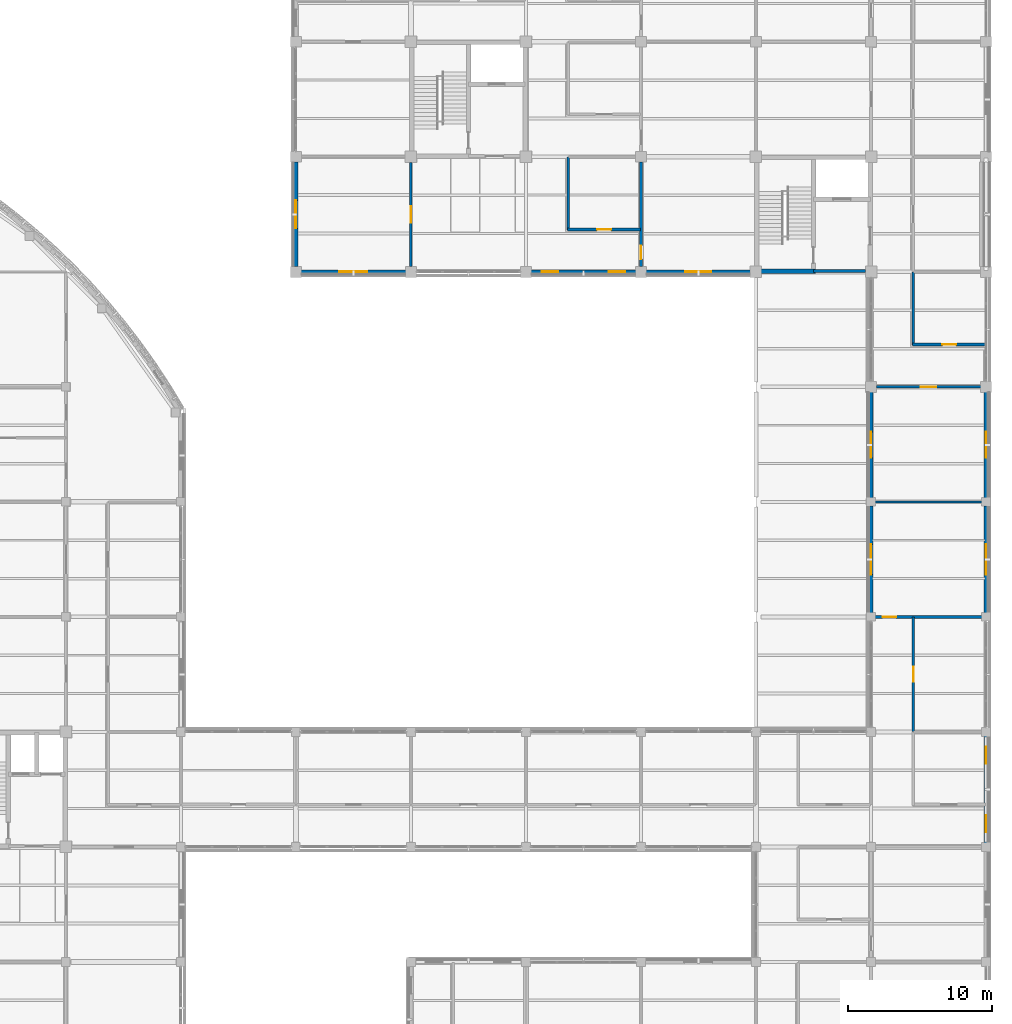
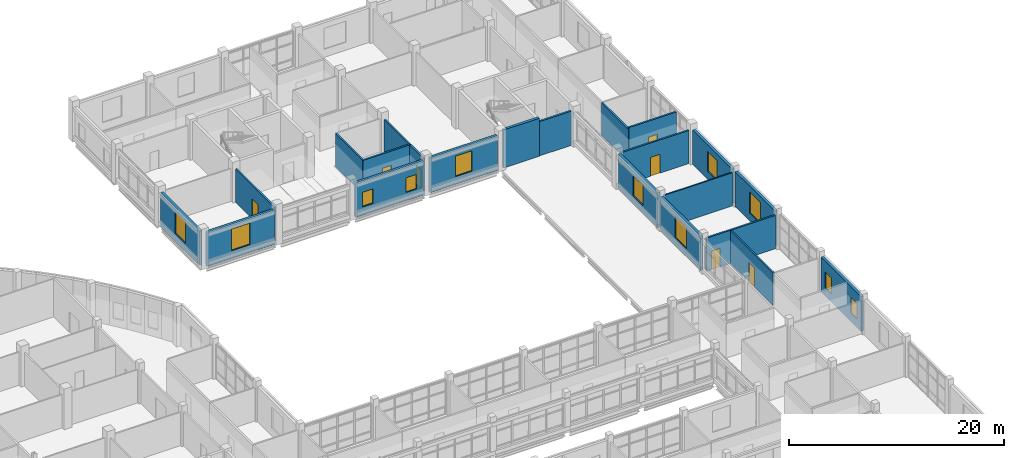
# One storey, part 95 of 121: 21 walls, 11 windows, 7 doors, 18 openings.
"""IFC4 building model written with IfcOpenShell, lengths in metres."""

from ifc_helpers import new_model, si_unit, derived_unit, direction, frame, frame_2d, origin, place, context, subcontext, project, spatial, rectangle, extrude, material, layer, layer_set, type_object, element, fill, save


model = new_model("IFC4")

# Units and contexts
model_context = context("Model", 3, precision=1e-05, world=origin(), true_north=direction((0.0, 1.0)))
body_context = subcontext(model_context, "Body", "Model", "MODEL_VIEW")
ifc_project = project(units=[si_unit("LENGTHUNIT", "METRE"), si_unit("AREAUNIT", "SQUARE_METRE"), si_unit("VOLUMEUNIT", "CUBIC_METRE"), si_unit("PLANEANGLEUNIT", "RADIAN"), si_unit("MASSUNIT", "GRAM", prefix="KILO"), derived_unit("THERMALTRANSMITTANCEUNIT", [(si_unit("MASSUNIT", "GRAM", prefix="KILO"), 1), (si_unit("TIMEUNIT", "SECOND"), -3), (si_unit("THERMODYNAMICTEMPERATUREUNIT", "KELVIN"), -1)])], contexts=[model_context])

# Site, building, storey
site_placement = place(None, origin())
site = spatial("IfcSite", under=ifc_project, at=site_placement, CompositionType="ELEMENT")
building_placement = place(site_placement, origin())
building = spatial("IfcBuilding", under=site, at=building_placement, Name="Veyamyaing Civic Hall", CompositionType="ELEMENT")
storey_placement = place(building_placement, frame((0.0, 0.0, 5.280029296875)))
storey = spatial("IfcBuildingStorey", under=building, at=storey_placement, Name="L01", CompositionType="ELEMENT", Elevation=5.280029296875)

# Wall, opening, window
ifc_material_1 = material(Name="Precast concrete C40/50", Category="concrete")
ifc_layer_1 = layer(ifc_material_1, 0.280029296875, Name="Precast concrete C40/50")
ifc_layer_set_1 = layer_set([ifc_layer_1], Name="Precast concrete C40/50")
wall_type_1 = type_object("IfcWallType", Name="WT-04", PredefinedType="SOLIDWALL", material=ifc_layer_set_1)
wall_1_placement = place(storey_placement, frame((128.360107421875, 88.0, 0.0), z_axis=(0.0, 0.0, 1.0), x_axis=(1.0, 0.0, 0.0)))
wall_1 = element("IfcWall", 1, at=wall_1_placement, inside=storey, type_object=wall_type_1, Name="Exterior facade wall WT-04 L01 S 17.12", PredefinedType="SOLIDWALL", context=body_context, shape_type="SweptSolid", body=[
    extrude(rectangle(XDim=7.27978515625, YDim=0.280029296875, at=frame_2d((3.639892578125, 0.0))), origin(), (0.0, 0.0, 1.0), 3.909912109375),
])
opening_1_placement = place(wall_1_placement, frame((2.6650390625, 0.0, 0.89990234375)))
opening_1 = element("IfcOpeningElement", 2, at=opening_1_placement, cuts=wall_1, Name="Opening W-26", PredefinedType="OPENING", context=body_context, shape_type="SweptSolid", body=[
    extrude(rectangle(XDim=1.949951171875, YDim=2.449951171875, at=frame_2d((0.97509765625, 1.22509765625))), frame((0.0, 0.14990234375, 0.0), z_axis=(0.0, -1.0, 0.0), x_axis=(1.0, 0.0, 0.0)), (0.0, 0.0, 1.0), 0.300048828125),
])
ifc_material_2 = material(Name="Low-E insulated glass", Category="glass")
window_type_1 = type_object("IfcWindowType", Name="W-26", PartitioningType="SINGLE_PANEL", PredefinedType="WINDOW", material=ifc_material_2)
window_1_placement = place(opening_1_placement, origin())
window_1 = element("IfcWindow", 3, at=window_1_placement, inside=storey, type_object=window_type_1, Name="Facade window W-26 L01 S 17.12", OverallHeight=2.449951171875, OverallWidth=1.949951171875, PartitioningType="SINGLE_PANEL", PredefinedType="WINDOW", context=body_context, shape_type="SweptSolid", body=[
    extrude(rectangle(XDim=1.949951171875, YDim=2.449951171875, at=frame_2d((0.97509765625, 1.22509765625))), frame((0.0, 0.030029296875, 0.0), z_axis=(0.0, -1.0, 0.0), x_axis=(1.0, 0.0, 0.0)), (0.0, 0.0, 1.0), 0.06005859375),
])
fill(opening_1, window_1)

wall_2_placement = place(storey_placement, frame((128.0, 88.360107421875, 0.0), z_axis=(0.0, 0.0, 1.0), x_axis=(0.0, 1.0, 0.0)))
wall_2 = element("IfcWall", 4, at=wall_2_placement, inside=storey, type_object=wall_type_1, Name="Exterior facade wall WT-04 L01 W 17.12", PredefinedType="SOLIDWALL", context=body_context, shape_type="SweptSolid", body=[
    extrude(rectangle(XDim=7.27978515625, YDim=0.280029296875, at=frame_2d((3.639892578125, 0.0))), origin(), (0.0, 0.0, 1.0), 3.909912109375),
])
opening_2_placement = place(wall_2_placement, frame((2.6650390625, 0.0, 0.89990234375)))
opening_2 = element("IfcOpeningElement", 5, at=opening_2_placement, cuts=wall_2, Name="Opening W-26", PredefinedType="OPENING", context=body_context, shape_type="SweptSolid", body=[
    extrude(rectangle(XDim=1.949951171875, YDim=2.449951171875, at=frame_2d((0.97509765625, 1.22509765625))), frame((0.0, 0.14990234375, 0.0), z_axis=(0.0, -1.0, 0.0), x_axis=(1.0, 0.0, 0.0)), (0.0, 0.0, 1.0), 0.300048828125),
])
window_2_placement = place(opening_2_placement, origin())
window_2 = element("IfcWindow", 6, at=window_2_placement, inside=storey, type_object=window_type_1, Name="Facade window W-26 L01 W 17.12", OverallHeight=2.449951171875, OverallWidth=1.949951171875, PartitioningType="SINGLE_PANEL", PredefinedType="WINDOW", context=body_context, shape_type="SweptSolid", body=[
    extrude(rectangle(XDim=1.949951171875, YDim=2.449951171875, at=frame_2d((0.97509765625, 1.22509765625))), frame((0.0, 0.030029296875, 0.0), z_axis=(0.0, -1.0, 0.0), x_axis=(1.0, 0.0, 0.0)), (0.0, 0.0, 1.0), 0.06005859375),
])
fill(opening_2, window_2)

# Wall, openings, windows
wall_3_placement = place(storey_placement, frame((144.360107421875, 88.0, 0.0), z_axis=(0.0, 0.0, 1.0), x_axis=(1.0, 0.0, 0.0)))
wall_3 = element("IfcWall", 7, at=wall_3_placement, inside=storey, type_object=wall_type_1, Name="Exterior facade wall WT-04 L01 S 19.12", PredefinedType="SOLIDWALL", context=body_context, shape_type="SweptSolid", body=[
    extrude(rectangle(XDim=7.27978515625, YDim=0.280029296875, at=frame_2d((3.639892578125, 0.0))), origin(), (0.0, 0.0, 1.0), 3.9140625),
])
opening_3_placement = place(wall_3_placement, frame((0.7353515625, 0.0, 0.949951171875)))
opening_3 = element("IfcOpeningElement", 8, at=opening_3_placement, cuts=wall_3, Name="Opening W-32", PredefinedType="OPENING", context=body_context, shape_type="SweptSolid", body=[
    extrude(rectangle(XDim=1.14990234375, YDim=1.64990234375, at=frame_2d((0.574951171875, 0.824951171875))), frame((0.0, 0.14990234375, 0.0), z_axis=(0.0, -1.0, 0.0), x_axis=(1.0, 0.0, 0.0)), (0.0, 0.0, 1.0), 0.300048828125),
])
opening_4_placement = place(wall_3_placement, frame((5.39453125, 0.0, 0.949951171875)))
opening_4 = element("IfcOpeningElement", 9, at=opening_4_placement, cuts=wall_3, Name="Opening W-32", PredefinedType="OPENING", context=body_context, shape_type="SweptSolid", body=[
    extrude(rectangle(XDim=1.14990234375, YDim=1.64990234375, at=frame_2d((0.574951171875, 0.824951171875))), frame((0.0, 0.14990234375, 0.0), z_axis=(0.0, -1.0, 0.0), x_axis=(1.0, 0.0, 0.0)), (0.0, 0.0, 1.0), 0.300048828125),
])
window_type_2 = type_object("IfcWindowType", Name="W-32", PartitioningType="SINGLE_PANEL", PredefinedType="WINDOW", material=ifc_material_2)
window_3_placement = place(opening_3_placement, origin())
window_3 = element("IfcWindow", 10, at=window_3_placement, inside=storey, type_object=window_type_2, Name="Facade window W-32 L01 S 19.12.1", OverallHeight=1.64990234375, OverallWidth=1.14990234375, PartitioningType="SINGLE_PANEL", PredefinedType="WINDOW", context=body_context, shape_type="SweptSolid", body=[
    extrude(rectangle(XDim=1.14990234375, YDim=1.64990234375, at=frame_2d((0.574951171875, 0.824951171875))), frame((0.0, 0.030029296875, 0.0), z_axis=(0.0, -1.0, 0.0), x_axis=(1.0, 0.0, 0.0)), (0.0, 0.0, 1.0), 0.06005859375),
])
fill(opening_3, window_3)
window_4_placement = place(opening_4_placement, origin())
window_4 = element("IfcWindow", 11, at=window_4_placement, inside=storey, type_object=window_type_2, Name="Facade window W-32 L01 S 19.12.2", OverallHeight=1.64990234375, OverallWidth=1.14990234375, PartitioningType="SINGLE_PANEL", PredefinedType="WINDOW", context=body_context, shape_type="SweptSolid", body=[
    extrude(rectangle(XDim=1.14990234375, YDim=1.64990234375, at=frame_2d((0.574951171875, 0.824951171875))), frame((0.0, 0.030029296875, 0.0), z_axis=(0.0, -1.0, 0.0), x_axis=(1.0, 0.0, 0.0)), (0.0, 0.0, 1.0), 0.06005859375),
])
fill(opening_4, window_4)

# Wall, opening, window
wall_4_placement = place(storey_placement, frame((152.360107421875, 88.0, 0.0), z_axis=(0.0, 0.0, 1.0), x_axis=(1.0, 0.0, 0.0)))
wall_4 = element("IfcWall", 12, at=wall_4_placement, inside=storey, type_object=wall_type_1, Name="Exterior facade wall WT-04 L01 S 20.12", PredefinedType="SOLIDWALL", context=body_context, shape_type="SweptSolid", body=[
    extrude(rectangle(XDim=7.2548828125, YDim=0.280029296875, at=frame_2d((3.62744140625, 0.0))), origin(), (0.0, 0.0, 1.0), 3.97705078125),
])
opening_5_placement = place(wall_4_placement, frame((2.7275390625, 0.0, 0.89990234375)))
opening_5 = element("IfcOpeningElement", 13, at=opening_5_placement, cuts=wall_4, Name="Opening W-06", PredefinedType="OPENING", context=body_context, shape_type="SweptSolid", body=[
    extrude(rectangle(XDim=1.800048828125, YDim=2.300048828125, at=frame_2d((0.89990234375, 1.14990234375))), frame((0.0, 0.14990234375, 0.0), z_axis=(0.0, -1.0, 0.0), x_axis=(1.0, 0.0, 0.0)), (0.0, 0.0, 1.0), 0.300048828125),
])
window_type_3 = type_object("IfcWindowType", Name="W-06", PartitioningType="SINGLE_PANEL", PredefinedType="WINDOW", material=ifc_material_2)
window_5_placement = place(opening_5_placement, origin())
window_5 = element("IfcWindow", 14, at=window_5_placement, inside=storey, type_object=window_type_3, Name="Facade window W-06 L01 S 20.12", OverallHeight=2.300048828125, OverallWidth=1.800048828125, PartitioningType="SINGLE_PANEL", PredefinedType="WINDOW", context=body_context, shape_type="SweptSolid", body=[
    extrude(rectangle(XDim=1.800048828125, YDim=2.300048828125, at=frame_2d((0.89990234375, 1.14990234375))), frame((0.0, 0.030029296875, 0.0), z_axis=(0.0, -1.0, 0.0), x_axis=(1.0, 0.0, 0.0)), (0.0, 0.0, 1.0), 0.06005859375),
])
fill(opening_5, window_5)

# Wall, openings, windows
wall_5_placement = place(storey_placement, frame((176.0, 48.284912109375, 0.0), z_axis=(0.0, 0.0, 1.0), x_axis=(0.0, 1.0, 0.0)))
wall_5 = element("IfcWall", 15, at=wall_5_placement, inside=storey, type_object=wall_type_1, Name="Exterior facade wall WT-04 L01 E 22.7", PredefinedType="SOLIDWALL", context=body_context, shape_type="SweptSolid", body=[
    extrude(rectangle(XDim=7.43017578125, YDim=0.280029296875, at=frame_2d((3.715087890625, 0.0))), origin(), (0.0, 0.0, 1.0), 3.973876953125),
])
opening_6_placement = place(wall_5_placement, frame((0.7373046875, 0.0, 0.949951171875)))
opening_6 = element("IfcOpeningElement", 16, at=opening_6_placement, cuts=wall_5, Name="Opening W-14", PredefinedType="OPENING", context=body_context, shape_type="SweptSolid", body=[
    extrude(rectangle(XDim=1.199951171875, YDim=1.800048828125, at=frame_2d((0.60009765625, 0.89990234375))), frame((0.0, 0.14990234375, 0.0), z_axis=(0.0, -1.0, 0.0), x_axis=(1.0, 0.0, 0.0)), (0.0, 0.0, 1.0), 0.300048828125),
])
opening_7_placement = place(wall_5_placement, frame((5.49267578125, 0.0, 0.949951171875)))
opening_7 = element("IfcOpeningElement", 17, at=opening_7_placement, cuts=wall_5, Name="Opening W-14", PredefinedType="OPENING", context=body_context, shape_type="SweptSolid", body=[
    extrude(rectangle(XDim=1.199951171875, YDim=1.800048828125, at=frame_2d((0.60009765625, 0.89990234375))), frame((0.0, 0.14990234375, 0.0), z_axis=(0.0, -1.0, 0.0), x_axis=(1.0, 0.0, 0.0)), (0.0, 0.0, 1.0), 0.300048828125),
])
window_type_4 = type_object("IfcWindowType", Name="W-14", PartitioningType="SINGLE_PANEL", PredefinedType="WINDOW", material=ifc_material_2)
window_6_placement = place(opening_6_placement, origin())
window_6 = element("IfcWindow", 18, at=window_6_placement, inside=storey, type_object=window_type_4, Name="Facade window W-14 L01 E 22.7.1", OverallHeight=1.800048828125, OverallWidth=1.199951171875, PartitioningType="SINGLE_PANEL", PredefinedType="WINDOW", context=body_context, shape_type="SweptSolid", body=[
    extrude(rectangle(XDim=1.199951171875, YDim=1.800048828125, at=frame_2d((0.60009765625, 0.89990234375))), frame((0.0, 0.030029296875, 0.0), z_axis=(0.0, -1.0, 0.0), x_axis=(1.0, 0.0, 0.0)), (0.0, 0.0, 1.0), 0.06005859375),
])
fill(opening_6, window_6)
window_7_placement = place(opening_7_placement, origin())
window_7 = element("IfcWindow", 19, at=window_7_placement, inside=storey, type_object=window_type_4, Name="Facade window W-14 L01 E 22.7.2", OverallHeight=1.800048828125, OverallWidth=1.199951171875, PartitioningType="SINGLE_PANEL", PredefinedType="WINDOW", context=body_context, shape_type="SweptSolid", body=[
    extrude(rectangle(XDim=1.199951171875, YDim=1.800048828125, at=frame_2d((0.60009765625, 0.89990234375))), frame((0.0, 0.030029296875, 0.0), z_axis=(0.0, -1.0, 0.0), x_axis=(1.0, 0.0, 0.0)), (0.0, 0.0, 1.0), 0.06005859375),
])
fill(opening_7, window_7)

# Wall, opening, window
wall_6_placement = place(storey_placement, frame((168.0, 64.284912109375, 0.0), z_axis=(0.0, 0.0, 1.0), x_axis=(0.0, 1.0, 0.0)))
wall_6 = element("IfcWall", 20, at=wall_6_placement, inside=storey, type_object=wall_type_1, Name="Exterior facade wall WT-04 L01 W 22.9", PredefinedType="SOLIDWALL", context=body_context, shape_type="SweptSolid", body=[
    extrude(rectangle(XDim=7.43017578125, YDim=0.280029296875, at=frame_2d((3.715087890625, 0.0))), origin(), (0.0, 0.0, 1.0), 3.9140625),
])
opening_8_placement = place(wall_6_placement, frame((2.6650390625, 0.0, 0.89990234375)))
opening_8 = element("IfcOpeningElement", 21, at=opening_8_placement, cuts=wall_6, Name="Opening W-05", PredefinedType="OPENING", context=body_context, shape_type="SweptSolid", body=[
    extrude(rectangle(XDim=2.10009765625, YDim=2.39990234375, at=frame_2d((1.050048828125, 1.199951171875))), frame((0.0, 0.14990234375, 0.0), z_axis=(0.0, -1.0, 0.0), x_axis=(1.0, 0.0, 0.0)), (0.0, 0.0, 1.0), 0.300048828125),
])
window_type_5 = type_object("IfcWindowType", Name="W-05", PartitioningType="SINGLE_PANEL", PredefinedType="WINDOW", material=ifc_material_2)
window_8_placement = place(opening_8_placement, origin())
window_8 = element("IfcWindow", 22, at=window_8_placement, inside=storey, type_object=window_type_5, Name="Facade window W-05 L01 W 22.9", OverallHeight=2.39990234375, OverallWidth=2.10009765625, PartitioningType="SINGLE_PANEL", PredefinedType="WINDOW", context=body_context, shape_type="SweptSolid", body=[
    extrude(rectangle(XDim=2.10009765625, YDim=2.39990234375, at=frame_2d((1.050048828125, 1.199951171875))), frame((0.0, 0.030029296875, 0.0), z_axis=(0.0, -1.0, 0.0), x_axis=(1.0, 0.0, 0.0)), (0.0, 0.0, 1.0), 0.06005859375),
])
fill(opening_8, window_8)

wall_7_placement = place(storey_placement, frame((176.0, 64.284912109375, 0.0), z_axis=(0.0, 0.0, 1.0), x_axis=(0.0, 1.0, 0.0)))
wall_7 = element("IfcWall", 23, at=wall_7_placement, inside=storey, type_object=wall_type_1, Name="Exterior facade wall WT-04 L01 E 22.9", PredefinedType="SOLIDWALL", context=body_context, shape_type="SweptSolid", body=[
    extrude(rectangle(XDim=7.43017578125, YDim=0.280029296875, at=frame_2d((3.715087890625, 0.0))), origin(), (0.0, 0.0, 1.0), 3.97705078125),
])
opening_9_placement = place(wall_7_placement, frame((2.6650390625, 0.0, 0.89990234375)))
opening_9 = element("IfcOpeningElement", 24, at=opening_9_placement, cuts=wall_7, Name="Opening W-05", PredefinedType="OPENING", context=body_context, shape_type="SweptSolid", body=[
    extrude(rectangle(XDim=2.10009765625, YDim=2.39990234375, at=frame_2d((1.050048828125, 1.199951171875))), frame((0.0, 0.14990234375, 0.0), z_axis=(0.0, -1.0, 0.0), x_axis=(1.0, 0.0, 0.0)), (0.0, 0.0, 1.0), 0.300048828125),
])
window_9_placement = place(opening_9_placement, origin())
window_9 = element("IfcWindow", 25, at=window_9_placement, inside=storey, type_object=window_type_5, Name="Facade window W-05 L01 E 22.9", OverallHeight=2.39990234375, OverallWidth=2.10009765625, PartitioningType="SINGLE_PANEL", PredefinedType="WINDOW", context=body_context, shape_type="SweptSolid", body=[
    extrude(rectangle(XDim=2.10009765625, YDim=2.39990234375, at=frame_2d((1.050048828125, 1.199951171875))), frame((0.0, 0.030029296875, 0.0), z_axis=(0.0, -1.0, 0.0), x_axis=(1.0, 0.0, 0.0)), (0.0, 0.0, 1.0), 0.06005859375),
])
fill(opening_9, window_9)

wall_8_placement = place(storey_placement, frame((168.0, 72.284912109375, 0.0), z_axis=(0.0, 0.0, 1.0), x_axis=(0.0, 1.0, 0.0)))
wall_8 = element("IfcWall", 26, at=wall_8_placement, inside=storey, type_object=wall_type_1, Name="Exterior facade wall WT-04 L01 W 22.10", PredefinedType="SOLIDWALL", context=body_context, shape_type="SweptSolid", body=[
    extrude(rectangle(XDim=7.35498046875, YDim=0.280029296875, at=frame_2d((3.677490234375, 0.0))), origin(), (0.0, 0.0, 1.0), 3.97705078125),
])
opening_10_placement = place(wall_8_placement, frame((2.777587890625, 0.0, 0.89990234375)))
opening_10 = element("IfcOpeningElement", 27, at=opening_10_placement, cuts=wall_8, Name="Opening W-06", PredefinedType="OPENING", context=body_context, shape_type="SweptSolid", body=[
    extrude(rectangle(XDim=1.800048828125, YDim=2.300048828125, at=frame_2d((0.89990234375, 1.14990234375))), frame((0.0, 0.14990234375, 0.0), z_axis=(0.0, -1.0, 0.0), x_axis=(1.0, 0.0, 0.0)), (0.0, 0.0, 1.0), 0.300048828125),
])
window_10_placement = place(opening_10_placement, origin())
window_10 = element("IfcWindow", 28, at=window_10_placement, inside=storey, type_object=window_type_3, Name="Facade window W-06 L01 W 22.10", OverallHeight=2.300048828125, OverallWidth=1.800048828125, PartitioningType="SINGLE_PANEL", PredefinedType="WINDOW", context=body_context, shape_type="SweptSolid", body=[
    extrude(rectangle(XDim=1.800048828125, YDim=2.300048828125, at=frame_2d((0.89990234375, 1.14990234375))), frame((0.0, 0.030029296875, 0.0), z_axis=(0.0, -1.0, 0.0), x_axis=(1.0, 0.0, 0.0)), (0.0, 0.0, 1.0), 0.06005859375),
])
fill(opening_10, window_10)

wall_9_placement = place(storey_placement, frame((176.0, 72.284912109375, 0.0), z_axis=(0.0, 0.0, 1.0), x_axis=(0.0, 1.0, 0.0)))
wall_9 = element("IfcWall", 29, at=wall_9_placement, inside=storey, type_object=wall_type_1, Name="Exterior facade wall WT-04 L01 E 22.10", PredefinedType="SOLIDWALL", context=body_context, shape_type="SweptSolid", body=[
    extrude(rectangle(XDim=7.35498046875, YDim=0.280029296875, at=frame_2d((3.677490234375, 0.0))), origin(), (0.0, 0.0, 1.0), 3.909912109375),
])
opening_11_placement = place(wall_9_placement, frame((2.777587890625, 0.0, 0.89990234375)))
opening_11 = element("IfcOpeningElement", 30, at=opening_11_placement, cuts=wall_9, Name="Opening W-06", PredefinedType="OPENING", context=body_context, shape_type="SweptSolid", body=[
    extrude(rectangle(XDim=1.800048828125, YDim=2.300048828125, at=frame_2d((0.89990234375, 1.14990234375))), frame((0.0, 0.14990234375, 0.0), z_axis=(0.0, -1.0, 0.0), x_axis=(1.0, 0.0, 0.0)), (0.0, 0.0, 1.0), 0.300048828125),
])
window_11_placement = place(opening_11_placement, origin())
window_11 = element("IfcWindow", 31, at=window_11_placement, inside=storey, type_object=window_type_3, Name="Facade window W-06 L01 E 22.10", OverallHeight=2.300048828125, OverallWidth=1.800048828125, PartitioningType="SINGLE_PANEL", PredefinedType="WINDOW", context=body_context, shape_type="SweptSolid", body=[
    extrude(rectangle(XDim=1.800048828125, YDim=2.300048828125, at=frame_2d((0.89990234375, 1.14990234375))), frame((0.0, 0.030029296875, 0.0), z_axis=(0.0, -1.0, 0.0), x_axis=(1.0, 0.0, 0.0)), (0.0, 0.0, 1.0), 0.06005859375),
])
fill(opening_11, window_11)

# Walls
ifc_material_3 = material(Name="Concrete C40/50", Category="concrete")
ifc_layer_2 = layer(ifc_material_3, 0.300048828125, Name="Concrete C40/50")
ifc_layer_set_2 = layer_set([ifc_layer_2], Name="Concrete C40/50")
wall_type_2 = type_object("IfcWallType", Name="WT-05", PredefinedType="SHEAR", material=ifc_layer_set_2)
wall_10_placement = place(storey_placement, frame((160.2900390625, 88.050048828125, 0.0), z_axis=(0.0, 0.0, 1.0), x_axis=(1.0, 0.0, 0.0)))
element("IfcWall", 32, at=wall_10_placement, inside=storey, type_object=wall_type_2, Name="Core shear wall WT-05 CORE-3 L01.SS", PredefinedType="SHEAR", context=body_context, shape_type="SweptSolid", body=[
    extrude(rectangle(XDim=3.85986328125, YDim=0.300048828125, at=frame_2d((1.929931640625, 0.0))), origin(), (0.0, 0.0, 1.0), 4.3349609375),
])
ifc_layer_3 = layer(ifc_material_3, 0.199951171875, Name="Concrete C40/50")
ifc_layer_set_3 = layer_set([ifc_layer_3], Name="Concrete C40/50")
wall_type_3 = type_object("IfcWallType", Name="WT-06", PredefinedType="PARTITIONING", material=ifc_layer_set_3)
wall_11_placement = place(storey_placement, frame((164.0, 88.050048828125, 0.0), z_axis=(0.0, 0.0, 1.0), x_axis=(1.0, 0.0, 0.0)))
element("IfcWall", 33, at=wall_11_placement, inside=storey, type_object=wall_type_3, Name="Firefighting lift lobby wall WT-06 CORE-3 L01", PredefinedType="PARTITIONING", context=body_context, shape_type="SweptSolid", body=[
    extrude(rectangle(XDim=3.610107421875, YDim=0.199951171875, at=frame_2d((1.80517578125, 0.0))), origin(), (0.0, 0.0, 1.0), 3.903076171875),
])

# Wall, opening, door
ifc_material_4 = material(Name="Gypsum board on acoustic steel stud", Category="steel")
ifc_layer_4 = layer(ifc_material_4, 0.175048828125, Name="Gypsum board on acoustic steel stud")
ifc_layer_set_4 = layer_set([ifc_layer_4], Name="Gypsum board on acoustic steel stud")
wall_type_4 = type_object("IfcWallType", Name="WT-07", PredefinedType="PARTITIONING", material=ifc_layer_set_4)
wall_12_placement = place(storey_placement, frame((170.949951171875, 56.02001953125, 0.0), z_axis=(0.0, 0.0, 1.0), x_axis=(0.0, 1.0, 0.0)))
wall_12 = element("IfcWall", 34, at=wall_12_placement, inside=storey, type_object=wall_type_4, Name="Corridor gallery partition WT-07 L01.83.1", PredefinedType="PARTITIONING", context=body_context, shape_type="SweptSolid", body=[
    extrude(rectangle(XDim=7.9599609375, YDim=0.175048828125, at=frame_2d((3.97998046875, 0.0))), origin(), (0.0, 0.0, 1.0), 3.7119140625),
])
opening_12_placement = place(wall_12_placement, frame((3.4599609375, 0.0, 0.0)))
opening_12 = element("IfcOpeningElement", 35, at=opening_12_placement, cuts=wall_12, Name="Opening D-24", PredefinedType="OPENING", context=body_context, shape_type="SweptSolid", body=[
    extrude(rectangle(XDim=1.0400390625, YDim=2.179931640625, at=frame_2d((0.52001953125, 1.08984375))), frame((0.0, 0.097412109375, 0.0), z_axis=(0.0, -1.0, 0.0), x_axis=(1.0, 0.0, 0.0)), (0.0, 0.0, 1.0), 0.195068359375),
])
ifc_material_5 = material(Name="Teak-veneered acoustic timber", Category="wood")
door_type_1 = type_object("IfcDoorType", Name="D-24", OperationType="NOTDEFINED", PredefinedType="DOOR", material=ifc_material_5)
door_1_placement = place(opening_12_placement, frame((1.0400390625, 0.0, 0.0), z_axis=(0.0, 0.0, 1.0), x_axis=(-1.0, 0.0, 0.0)))
door_1 = element("IfcDoor", 36, at=door_1_placement, inside=storey, type_object=door_type_1, Name="Gallery office door D-24 L01.83", OperationType="SINGLE_SWING_LEFT", OverallHeight=2.179931640625, OverallWidth=1.0400390625, PredefinedType="DOOR", context=body_context, shape_type="SweptSolid", body=[
    extrude(rectangle(XDim=1.0400390625, YDim=2.179931640625, at=frame_2d((0.52001953125, 1.08984375))), frame((0.0, 0.02490234375, 0.0), z_axis=(0.0, -1.0, 0.0), x_axis=(1.0, 0.0, 0.0)), (0.0, 0.0, 1.0), 0.050048828125),
])
fill(opening_12, door_1)

wall_13_placement = place(storey_placement, frame((136.0, 88.364990234375, 0.0), z_axis=(0.0, 0.0, 1.0), x_axis=(0.0, 1.0, 0.0)))
wall_13 = element("IfcWall", 37, at=wall_13_placement, inside=storey, type_object=wall_type_4, Name="Interior partition wall WT-07 L01.95", PredefinedType="PARTITIONING", context=body_context, shape_type="SweptSolid", body=[
    extrude(rectangle(XDim=7.2451171875, YDim=0.175048828125, at=frame_2d((3.62255859375, 0.0))), origin(), (0.0, 0.0, 1.0), 3.786865234375),
])
opening_13_placement = place(wall_13_placement, frame((3.0625, 0.0, 0.0)))
opening_13 = element("IfcOpeningElement", 38, at=opening_13_placement, cuts=wall_13, Name="Opening D-26", PredefinedType="OPENING", context=body_context, shape_type="SweptSolid", body=[
    extrude(rectangle(XDim=1.1201171875, YDim=2.219970703125, at=frame_2d((0.56005859375, 1.10986328125))), frame((0.0, 0.097412109375, 0.0), z_axis=(0.0, -1.0, 0.0), x_axis=(1.0, 0.0, 0.0)), (0.0, 0.0, 1.0), 0.195068359375),
])
door_type_2 = type_object("IfcDoorType", Name="D-26", OperationType="NOTDEFINED", PredefinedType="DOOR", material=ifc_material_5)
door_2_placement = place(opening_13_placement, origin())
door_2 = element("IfcDoor", 39, at=door_2_placement, inside=storey, type_object=door_type_2, Name="Interior door D-26 L01.95", OperationType="SINGLE_SWING_LEFT", OverallHeight=2.219970703125, OverallWidth=1.1201171875, PredefinedType="DOOR", context=body_context, shape_type="SweptSolid", body=[
    extrude(rectangle(XDim=1.1201171875, YDim=2.219970703125, at=frame_2d((0.56005859375, 1.10986328125))), frame((0.0, 0.02490234375, 0.0), z_axis=(0.0, -1.0, 0.0), x_axis=(1.0, 0.0, 0.0)), (0.0, 0.0, 1.0), 0.050048828125),
])
fill(opening_13, door_2)

ifc_material_6 = material(Name="Gypsum board on double acoustic stud")
ifc_layer_5 = layer(ifc_material_6, 0.18505859375, Name="Gypsum board on double acoustic stud")
ifc_layer_set_5 = layer_set([ifc_layer_5], Name="Gypsum board on double acoustic stud")
wall_type_5 = type_object("IfcWallType", Name="WT-19", PredefinedType="PARTITIONING", material=ifc_layer_set_5)
wall_14_placement = place(storey_placement, frame((146.89990234375, 90.949951171875, 0.0), z_axis=(0.0, 0.0, 1.0), x_axis=(1.0, 0.0, 0.0)))
wall_14 = element("IfcWall", 40, at=wall_14_placement, inside=storey, type_object=wall_type_5, Name="Corridor gallery partition WT-19 L01.70.1", PredefinedType="PARTITIONING", context=body_context, shape_type="SweptSolid", body=[
    extrude(rectangle(XDim=5.080078125, YDim=0.18505859375, at=frame_2d((2.5400390625, 0.0))), origin(), (0.0, 0.0, 1.0), 3.781005859375),
])
opening_14_placement = place(wall_14_placement, frame((2.050048828125, 0.0, 0.0)))
opening_14 = element("IfcOpeningElement", 41, at=opening_14_placement, cuts=wall_14, Name="Opening D-14", PredefinedType="OPENING", context=body_context, shape_type="SweptSolid", body=[
    extrude(rectangle(XDim=0.97998046875, YDim=2.14990234375, at=frame_2d((0.489990234375, 1.074951171875))), frame((0.0, 0.1025390625, 0.0), z_axis=(0.0, -1.0, 0.0), x_axis=(1.0, 0.0, 0.0)), (0.0, 0.0, 1.0), 0.205078125),
])
door_type_3 = type_object("IfcDoorType", Name="D-14", OperationType="NOTDEFINED", PredefinedType="DOOR", material=ifc_material_5)
door_3_placement = place(opening_14_placement, origin())
door_3 = element("IfcDoor", 42, at=door_3_placement, inside=storey, type_object=door_type_3, Name="Gallery office door D-14 L01.70", OperationType="SINGLE_SWING_RIGHT", OverallHeight=2.14990234375, OverallWidth=0.97998046875, PredefinedType="DOOR", context=body_context, shape_type="SweptSolid", body=[
    extrude(rectangle(XDim=0.97998046875, YDim=2.14990234375, at=frame_2d((0.489990234375, 1.074951171875))), frame((0.0, 0.02490234375, 0.0), z_axis=(0.0, -1.0, 0.0), x_axis=(1.0, 0.0, 0.0)), (0.0, 0.0, 1.0), 0.050048828125),
])
fill(opening_14, door_3)

# Wall
wall_15_placement = place(storey_placement, frame((146.949951171875, 90.89990234375, 0.0), z_axis=(0.0, 0.0, 1.0), x_axis=(0.0, 1.0, 0.0)))
element("IfcWall", 43, at=wall_15_placement, inside=storey, type_object=wall_type_5, Name="Corridor gallery partition WT-19 L01.70.2", PredefinedType="PARTITIONING", context=body_context, shape_type="SweptSolid", body=[
    extrude(rectangle(XDim=5.080078125, YDim=0.18505859375, at=frame_2d((2.5400390625, 0.0))), origin(), (0.0, 0.0, 1.0), 3.77099609375),
])

# Wall, opening, door
wall_16_placement = place(storey_placement, frame((170.89990234375, 82.949951171875, 0.0), z_axis=(0.0, 0.0, 1.0), x_axis=(1.0, 0.0, 0.0)))
wall_16 = element("IfcWall", 44, at=wall_16_placement, inside=storey, type_object=wall_type_5, Name="Corridor gallery partition WT-19 L01.84.1", PredefinedType="PARTITIONING", context=body_context, shape_type="SweptSolid", body=[
    extrude(rectangle(XDim=5.080078125, YDim=0.18505859375, at=frame_2d((2.5400390625, 0.0))), origin(), (0.0, 0.0, 1.0), 3.967041015625),
])
opening_15_placement = place(wall_16_placement, frame((2.06005859375, 0.0, 0.0)))
opening_15 = element("IfcOpeningElement", 45, at=opening_15_placement, cuts=wall_16, Name="Opening D-25", PredefinedType="OPENING", context=body_context, shape_type="SweptSolid", body=[
    extrude(rectangle(XDim=0.9599609375, YDim=2.139892578125, at=frame_2d((0.47998046875, 1.06982421875))), frame((0.0, 0.1025390625, 0.0), z_axis=(0.0, -1.0, 0.0), x_axis=(1.0, 0.0, 0.0)), (0.0, 0.0, 1.0), 0.205078125),
])
door_type_4 = type_object("IfcDoorType", Name="D-25", OperationType="NOTDEFINED", PredefinedType="DOOR", material=ifc_material_5)
door_4_placement = place(opening_15_placement, origin())
door_4 = element("IfcDoor", 46, at=door_4_placement, inside=storey, type_object=door_type_4, Name="Gallery office door D-25 L01.84", OperationType="SINGLE_SWING_RIGHT", OverallHeight=2.139892578125, OverallWidth=0.9599609375, PredefinedType="DOOR", context=body_context, shape_type="SweptSolid", body=[
    extrude(rectangle(XDim=0.9599609375, YDim=2.139892578125, at=frame_2d((0.47998046875, 1.06982421875))), frame((0.0, 0.02490234375, 0.0), z_axis=(0.0, -1.0, 0.0), x_axis=(1.0, 0.0, 0.0)), (0.0, 0.0, 1.0), 0.050048828125),
])
fill(opening_15, door_4)

# Wall
wall_17_placement = place(storey_placement, frame((170.949951171875, 82.89990234375, 0.0), z_axis=(0.0, 0.0, 1.0), x_axis=(0.0, 1.0, 0.0)))
element("IfcWall", 47, at=wall_17_placement, inside=storey, type_object=wall_type_5, Name="Corridor gallery partition WT-19 L01.84.2", PredefinedType="PARTITIONING", context=body_context, shape_type="SweptSolid", body=[
    extrude(rectangle(XDim=5.080078125, YDim=0.18505859375, at=frame_2d((2.5400390625, 0.0))), origin(), (0.0, 0.0, 1.0), 3.7119140625),
])

# Wall, opening, door
wall_18_placement = place(storey_placement, frame((152.0, 88.364990234375, 0.0), z_axis=(0.0, 0.0, 1.0), x_axis=(0.0, 1.0, 0.0)))
wall_18 = element("IfcWall", 48, at=wall_18_placement, inside=storey, type_object=wall_type_5, Name="Interior partition wall WT-19 L01.100", PredefinedType="PARTITIONING", context=body_context, shape_type="SweptSolid", body=[
    extrude(rectangle(XDim=7.27001953125, YDim=0.18505859375, at=frame_2d((3.635009765625, 0.0))), origin(), (0.0, 0.0, 1.0), 3.781005859375),
])
opening_16_placement = place(wall_18_placement, frame((0.52001953125, 0.0, 0.0)))
opening_16 = element("IfcOpeningElement", 49, at=opening_16_placement, cuts=wall_18, Name="Opening D-30", PredefinedType="OPENING", context=body_context, shape_type="SweptSolid", body=[
    extrude(rectangle(XDim=0.93994140625, YDim=2.1201171875, at=frame_2d((0.469970703125, 1.06005859375))), frame((0.0, 0.1025390625, 0.0), z_axis=(0.0, -1.0, 0.0), x_axis=(1.0, 0.0, 0.0)), (0.0, 0.0, 1.0), 0.205078125),
])
door_type_5 = type_object("IfcDoorType", Name="D-30", OperationType="NOTDEFINED", PredefinedType="DOOR", material=ifc_material_5)
door_5_placement = place(opening_16_placement, frame((0.93994140625, 0.0, 0.0), z_axis=(0.0, 0.0, 1.0), x_axis=(-1.0, 0.0, 0.0)))
door_5 = element("IfcDoor", 50, at=door_5_placement, inside=storey, type_object=door_type_5, Name="Interior door D-30 L01.100", OperationType="SINGLE_SWING_LEFT", OverallHeight=2.1201171875, OverallWidth=0.93994140625, PredefinedType="DOOR", context=body_context, shape_type="SweptSolid", body=[
    extrude(rectangle(XDim=0.93994140625, YDim=2.1201171875, at=frame_2d((0.469970703125, 1.06005859375))), frame((0.0, 0.02490234375, 0.0), z_axis=(0.0, -1.0, 0.0), x_axis=(1.0, 0.0, 0.0)), (0.0, 0.0, 1.0), 0.050048828125),
])
fill(opening_16, door_5)

wall_19_placement = place(storey_placement, frame((168.2900390625, 64.0, 0.0), z_axis=(0.0, 0.0, 1.0), x_axis=(1.0, 0.0, 0.0)))
wall_19 = element("IfcWall", 51, at=wall_19_placement, inside=storey, type_object=wall_type_5, Name="Interior partition wall WT-19 L01.116", PredefinedType="PARTITIONING", context=body_context, shape_type="SweptSolid", body=[
    extrude(rectangle(XDim=7.419921875, YDim=0.18505859375, at=frame_2d((3.7099609375, 0.0))), origin(), (0.0, 0.0, 1.0), 3.786865234375),
])
opening_17_placement = place(wall_19_placement, frame((0.52001953125, 0.0, 0.0)))
opening_17 = element("IfcOpeningElement", 52, at=opening_17_placement, cuts=wall_19, Name="Opening D-30", PredefinedType="OPENING", context=body_context, shape_type="SweptSolid", body=[
    extrude(rectangle(XDim=0.93994140625, YDim=2.1201171875, at=frame_2d((0.469970703125, 1.06005859375))), frame((0.0, 0.1025390625, 0.0), z_axis=(0.0, -1.0, 0.0), x_axis=(1.0, 0.0, 0.0)), (0.0, 0.0, 1.0), 0.205078125),
])
door_6_placement = place(opening_17_placement, origin())
door_6 = element("IfcDoor", 53, at=door_6_placement, inside=storey, type_object=door_type_5, Name="Interior door D-30 L01.116", OperationType="SINGLE_SWING_RIGHT", OverallHeight=2.1201171875, OverallWidth=0.93994140625, PredefinedType="DOOR", context=body_context, shape_type="SweptSolid", body=[
    extrude(rectangle(XDim=0.93994140625, YDim=2.1201171875, at=frame_2d((0.469970703125, 1.06005859375))), frame((0.0, 0.02490234375, 0.0), z_axis=(0.0, -1.0, 0.0), x_axis=(1.0, 0.0, 0.0)), (0.0, 0.0, 1.0), 0.050048828125),
])
fill(opening_17, door_6)

wall_20_placement = place(storey_placement, frame((168.364990234375, 80.0, 0.0), z_axis=(0.0, 0.0, 1.0), x_axis=(1.0, 0.0, 0.0)))
wall_20 = element("IfcWall", 54, at=wall_20_placement, inside=storey, type_object=wall_type_5, Name="Interior partition wall WT-19 L01.118", PredefinedType="PARTITIONING", context=body_context, shape_type="SweptSolid", body=[
    extrude(rectangle(XDim=7.27001953125, YDim=0.18505859375, at=frame_2d((3.635009765625, 0.0))), origin(), (0.0, 0.0, 1.0), 3.781005859375),
])
opening_18_placement = place(wall_20_placement, frame((3.110107421875, 0.0, 0.0)))
opening_18 = element("IfcOpeningElement", 55, at=opening_18_placement, cuts=wall_20, Name="Opening D-12", PredefinedType="OPENING", context=body_context, shape_type="SweptSolid", body=[
    extrude(rectangle(XDim=1.050048828125, YDim=2.14990234375, at=frame_2d((0.52490234375, 1.074951171875))), frame((0.0, 0.1025390625, 0.0), z_axis=(0.0, -1.0, 0.0), x_axis=(1.0, 0.0, 0.0)), (0.0, 0.0, 1.0), 0.205078125),
])
door_type_6 = type_object("IfcDoorType", Name="D-12", OperationType="NOTDEFINED", PredefinedType="DOOR", material=ifc_material_5)
door_7_placement = place(opening_18_placement, frame((1.050048828125, 0.0, 0.0), z_axis=(0.0, 0.0, 1.0), x_axis=(-1.0, 0.0, 0.0)))
door_7 = element("IfcDoor", 56, at=door_7_placement, inside=storey, type_object=door_type_6, Name="Interior door D-12 L01.118", OperationType="SINGLE_SWING_LEFT", OverallHeight=2.14990234375, OverallWidth=1.050048828125, PredefinedType="DOOR", context=body_context, shape_type="SweptSolid", body=[
    extrude(rectangle(XDim=1.050048828125, YDim=2.14990234375, at=frame_2d((0.52490234375, 1.074951171875))), frame((0.0, 0.02490234375, 0.0), z_axis=(0.0, -1.0, 0.0), x_axis=(1.0, 0.0, 0.0)), (0.0, 0.0, 1.0), 0.050048828125),
])
fill(opening_18, door_7)

# Wall
ifc_material_7 = material(Name="Gypsum board on steel stud", Category="steel")
ifc_layer_6 = layer(ifc_material_7, 0.14208984375, Name="Gypsum board on steel stud")
ifc_layer_set_6 = layer_set([ifc_layer_6], Name="Gypsum board on steel stud")
wall_type_6 = type_object("IfcWallType", Name="WT-20", PredefinedType="PARTITIONING", material=ifc_layer_set_6)
wall_21_placement = place(storey_placement, frame((168.2900390625, 72.0, 0.0), z_axis=(0.0, 0.0, 1.0), x_axis=(1.0, 0.0, 0.0)))
element("IfcWall", 57, at=wall_21_placement, inside=storey, type_object=wall_type_6, Name="Interior partition wall WT-20 L01.117", PredefinedType="PARTITIONING", context=body_context, shape_type="SweptSolid", body=[
    extrude(rectangle(XDim=7.419921875, YDim=0.14208984375, at=frame_2d((3.7099609375, 0.0))), origin(), (0.0, 0.0, 1.0), 3.77099609375),
])

save(model, "model.ifc")
